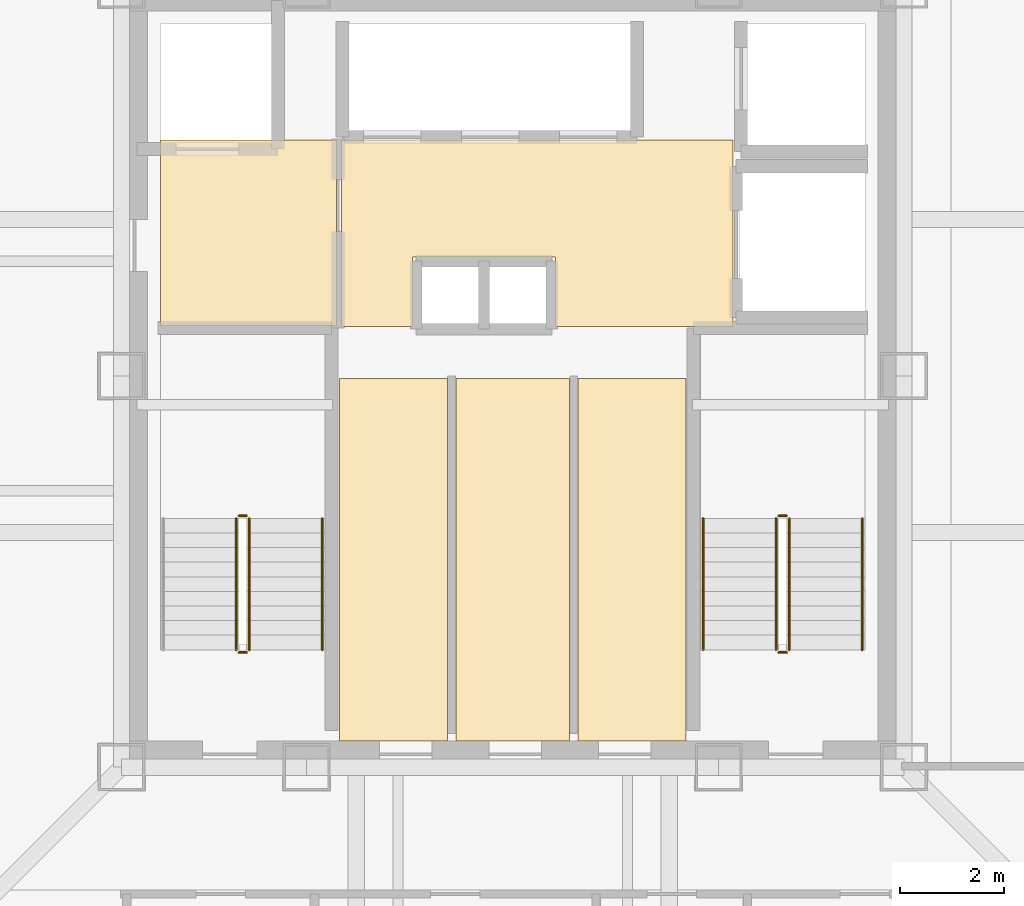
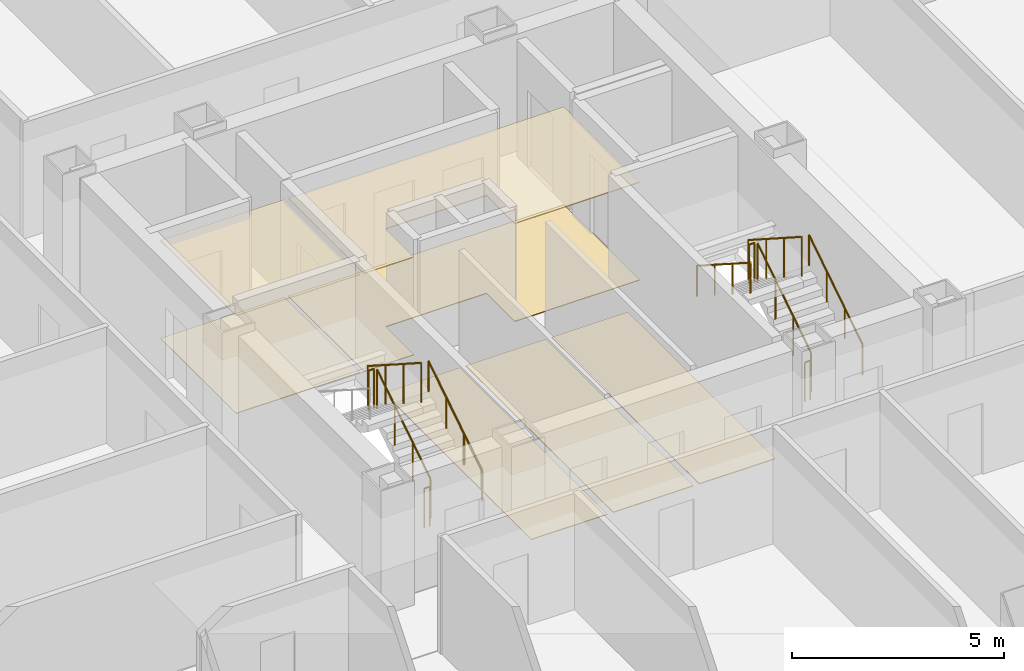
# One storey, part 15 of 16: 11 railings, 7 coverings.
"""IFC4 building model written with IfcOpenShell, lengths in metres."""

from ifc_helpers import new_model, si_unit, direction, frame, origin, origin_2d, place, context, subcontext, project, spatial, polyline, circle, outline, extrude, material, layer, layer_set, type_object, element, save


model = new_model("IFC4")

# Units and contexts
model_context = context("Model", 3, precision=1e-05, world=origin(), true_north=direction((0.0, 1.0)))
body_context = subcontext(model_context, "Body", "Model", "MODEL_VIEW")
ifc_project = project(units=[si_unit("LENGTHUNIT", "METRE"), si_unit("AREAUNIT", "SQUARE_METRE"), si_unit("VOLUMEUNIT", "CUBIC_METRE"), si_unit("PLANEANGLEUNIT", "RADIAN"), si_unit("MASSUNIT", "GRAM", prefix="KILO")], contexts=[model_context])

# Site, building, storey
site_placement = place(None, origin())
site = spatial("IfcSite", under=ifc_project, at=site_placement, CompositionType="ELEMENT")
building_placement = place(site_placement, origin())
building = spatial("IfcBuilding", under=site, at=building_placement, Name="Trevonay Congress Spire", CompositionType="ELEMENT")
storey_placement = place(building_placement, frame((0.0, 0.0, 177.0)))
storey = spatial("IfcBuildingStorey", under=building, at=storey_placement, Name="L45", CompositionType="ELEMENT", Elevation=177.0)

# Coverings
ifc_material_1 = material(Name="Acoustic Mineral Fibre Board", Category="gypsum")
ifc_layer_1 = layer(ifc_material_1, 0.02490234375, Name="Acoustic Mineral Fibre Board")
ifc_layer_set_1 = layer_set([ifc_layer_1], Name="Acoustic Mineral Fibre Board")
covering_type_1 = type_object("IfcCoveringType", Name="COV-CEIL-ACOUSTIC", PredefinedType="CEILING", material=ifc_layer_set_1)
covering_1_placement = place(storey_placement, frame((0.0, 0.0, 2.81005859375)))
element("IfcCovering", 1, at=covering_1_placement, inside=storey, type_object=covering_type_1, Name="L45 Firefighting Lift Lobby West acoustic suspended ceiling", PredefinedType="CEILING", context=body_context, shape_type="SweptSolid", body=[
    extrude(outline(polyline([(-6.75, 0.9599609375), (-3.3798828125, 0.9599609375), (-3.3798828125, 4.52001953125), (-6.75, 4.52001953125), (-6.75, 0.9599609375)])), origin(), (0.0, 0.0, 1.0), 0.02490234375),
])
covering_2_placement = place(storey_placement, frame((0.0, 0.0, 2.81005859375)))
element("IfcCovering", 2, at=covering_2_placement, inside=storey, type_object=covering_type_1, Name="L45 Central and High-Rise Passenger Lift Lobby acoustic suspended ceiling", PredefinedType="CEILING", context=body_context, shape_type="SweptSolid", body=[
    extrude(outline(polyline([(-3.280029296875, 0.949951171875), (-1.919921875, 0.949951171875), (-1.919921875, 2.280029296875), (0.820068359375, 2.280029296875), (0.820068359375, 0.949951171875), (4.219970703125, 0.949951171875), (4.219970703125, 4.52001953125), (-3.280029296875, 4.52001953125), (-3.280029296875, 0.949951171875)])), origin(), (0.0, 0.0, 1.0), 0.02490234375),
])
ifc_material_2 = material(Name="Polished Granite Floor Tile", Category="masonry")
ifc_layer_2 = layer(ifc_material_2, 0.02001953125, Name="Polished Granite Floor Tile")
ifc_layer_set_2 = layer_set([ifc_layer_2], Name="Polished Granite Floor Tile")
covering_type_2 = type_object("IfcCoveringType", Name="COV-FLOOR-STONE", PredefinedType="FLOORING", material=ifc_layer_set_2)
covering_3_placement = place(storey_placement, origin())
element("IfcCovering", 3, at=covering_3_placement, inside=storey, type_object=covering_type_2, Name="L45 Firefighting Lift Lobby West floor finish", PredefinedType="FLOORING", context=body_context, shape_type="SweptSolid", body=[
    extrude(outline(polyline([(-6.75, 0.9599609375), (-3.3798828125, 0.9599609375), (-3.3798828125, 4.52001953125), (-6.75, 4.52001953125), (-6.75, 0.9599609375)])), origin(), (0.0, 0.0, 1.0), 0.02001953125),
])
covering_4_placement = place(storey_placement, origin())
element("IfcCovering", 4, at=covering_4_placement, inside=storey, type_object=covering_type_2, Name="L45 Central and High-Rise Passenger Lift Lobby floor finish", PredefinedType="FLOORING", context=body_context, shape_type="SweptSolid", body=[
    extrude(outline(polyline([(-3.280029296875, 0.949951171875), (-1.919921875, 0.949951171875), (-1.919921875, 2.280029296875), (0.820068359375, 2.280029296875), (0.820068359375, 0.949951171875), (4.219970703125, 0.949951171875), (4.219970703125, 4.52001953125), (-3.280029296875, 4.52001953125), (-3.280029296875, 0.949951171875)])), origin(), (0.0, 0.0, 1.0), 0.02001953125),
])
covering_5_placement = place(storey_placement, origin())
element("IfcCovering", 5, at=covering_5_placement, inside=storey, type_object=covering_type_2, Name="L45 Core AHU Fan Plant Room floor finish", PredefinedType="FLOORING", context=body_context, shape_type="SweptSolid", body=[
    extrude(outline(polyline([(-3.320068359375, -7.0), (-1.25, -7.0), (-1.25, -0.050048828125), (-3.320068359375, -0.050048828125), (-3.320068359375, -7.0)])), origin(), (0.0, 0.0, 1.0), 0.02001953125),
])
covering_6_placement = place(storey_placement, origin())
element("IfcCovering", 6, at=covering_6_placement, inside=storey, type_object=covering_type_2, Name="L45 Core IT Comms Store floor finish", PredefinedType="FLOORING", context=body_context, shape_type="SweptSolid", body=[
    extrude(outline(polyline([(-1.090087890625, -7.0), (1.090087890625, -7.0), (1.090087890625, -0.050048828125), (-1.090087890625, -0.050048828125), (-1.090087890625, -7.0)])), origin(), (0.0, 0.0, 1.0), 0.02001953125),
])
covering_7_placement = place(storey_placement, origin())
element("IfcCovering", 7, at=covering_7_placement, inside=storey, type_object=covering_type_2, Name="L45 Housekeeping Linen Store floor finish", PredefinedType="FLOORING", context=body_context, shape_type="SweptSolid", body=[
    extrude(outline(polyline([(1.25, -7.0), (3.320068359375, -7.0), (3.320068359375, -0.050048828125), (1.25, -0.050048828125), (1.25, -7.0)])), origin(), (0.0, 0.0, 1.0), 0.02001953125),
])

# Railings
ifc_material_3 = material(Name="Pale Anodised Aluminium EN AW-6063-T6", Category="aluminium")
railing_type_1 = type_object("IfcRailingType", Name="RAL-STAIR-GUARD-110", PredefinedType="GUARDRAIL", material=ifc_material_3)
railing_1_placement = place(storey_placement, frame((-5.050048828125, -5.25, 0.179931640625)))
element("IfcRailing", 8, at=railing_1_placement, inside=storey, type_object=railing_type_1, Name="L45 ST-1 stair guard 1", PredefinedType="GUARDRAIL", context=body_context, shape_type="SweptSolid", body=[
    extrude(circle(Radius=0.02392578125, at=origin_2d()), frame((0.0, 0.0, 1.1259765625), z_axis=(0.0, 0.841162588446, 0.540782303519), x_axis=(-1.0, 0.0, 0.0)), (0.0, 0.0, 1.0), 2.995849609375),
    extrude(circle(Radius=0.02099609375, at=origin_2d()), origin(), (0.0, 0.0, 1.0), 1.101806640625),
    extrude(circle(Radius=0.02099609375, at=origin_2d()), frame((0.0, 0.840087890625, 0.5400390625)), (0.0, 0.0, 1.0), 1.101806640625),
    extrude(circle(Radius=0.02099609375, at=origin_2d()), frame((0.0, 1.679931640625, 1.080078125)), (0.0, 0.0, 1.0), 1.101806640625),
    extrude(circle(Radius=0.02099609375, at=origin_2d()), frame((0.0, 2.52001953125, 1.6201171875)), (0.0, 0.0, 1.0), 1.101806640625),
])
railing_2_placement = place(storey_placement, frame((-5.10009765625, -2.679931640625, 1.800048828125)))
element("IfcRailing", 9, at=railing_2_placement, inside=storey, type_object=railing_type_1, Name="L45 ST-1 stair guard 2", PredefinedType="GUARDRAIL", context=body_context, shape_type="SweptSolid", body=[
    extrude(circle(Radius=0.02392578125, at=origin_2d()), frame((0.0, 0.0, 1.1259765625), z_axis=(-1.0, 0.0, 0.0), x_axis=(0.0, -1.0, 0.0)), (0.0, 0.0, 1.0), 0.14990234375),
    extrude(circle(Radius=0.02099609375, at=origin_2d()), origin(), (0.0, 0.0, 1.0), 1.101806640625),
    extrude(circle(Radius=0.02099609375, at=origin_2d()), frame((-0.14990234375, 0.0, 0.0)), (0.0, 0.0, 1.0), 1.101806640625),
])
railing_3_placement = place(storey_placement, frame((-5.300048828125, -2.72998046875, 1.97998046875)))
element("IfcRailing", 10, at=railing_3_placement, inside=storey, type_object=railing_type_1, Name="L45 ST-1 stair guard 3", PredefinedType="GUARDRAIL", context=body_context, shape_type="SweptSolid", body=[
    extrude(circle(Radius=0.02392578125, at=origin_2d()), frame((0.0, 0.0, 1.1259765625), z_axis=(0.0, -0.841162588446, 0.540782303519), x_axis=(1.0, 0.0, 0.0)), (0.0, 0.0, 1.0), 2.995849609375),
    extrude(circle(Radius=0.02099609375, at=origin_2d()), origin(), (0.0, 0.0, 1.0), 1.101806640625),
    extrude(circle(Radius=0.02099609375, at=origin_2d()), frame((0.0, -0.840087890625, 0.5400390625)), (0.0, 0.0, 1.0), 1.101806640625),
    extrude(circle(Radius=0.02099609375, at=origin_2d()), frame((0.0, -1.679931640625, 1.080078125)), (0.0, 0.0, 1.0), 1.101806640625),
    extrude(circle(Radius=0.02099609375, at=origin_2d()), frame((0.0, -2.52001953125, 1.6201171875)), (0.0, 0.0, 1.0), 1.101806640625),
])
railing_4_placement = place(storey_placement, frame((-5.10009765625, -5.300048828125, 0.0)))
element("IfcRailing", 11, at=railing_4_placement, inside=storey, type_object=railing_type_1, Name="L45 ST-1 stair guard 4", PredefinedType="GUARDRAIL", context=body_context, shape_type="SweptSolid", body=[
    extrude(circle(Radius=0.02392578125, at=origin_2d()), frame((0.0, 0.0, 1.1259765625), z_axis=(-1.0, 0.0, 0.0), x_axis=(0.0, -1.0, 0.0)), (0.0, 0.0, 1.0), 0.14990234375),
    extrude(circle(Radius=0.02099609375, at=origin_2d()), origin(), (0.0, 0.0, 1.0), 1.101806640625),
    extrude(circle(Radius=0.02099609375, at=origin_2d()), frame((-0.14990234375, 0.0, 0.0)), (0.0, 0.0, 1.0), 1.101806640625),
])
railing_5_placement = place(storey_placement, frame((5.300048828125, -5.25, 0.179931640625)))
element("IfcRailing", 12, at=railing_5_placement, inside=storey, type_object=railing_type_1, Name="L45 ST-2 stair guard 1", PredefinedType="GUARDRAIL", context=body_context, shape_type="SweptSolid", body=[
    extrude(circle(Radius=0.02392578125, at=origin_2d()), frame((0.0, 0.0, 1.1259765625), z_axis=(0.0, 0.841162588446, 0.540782303519), x_axis=(-1.0, 0.0, 0.0)), (0.0, 0.0, 1.0), 2.995849609375),
    extrude(circle(Radius=0.02099609375, at=origin_2d()), origin(), (0.0, 0.0, 1.0), 1.101806640625),
    extrude(circle(Radius=0.02099609375, at=origin_2d()), frame((0.0, 0.840087890625, 0.5400390625)), (0.0, 0.0, 1.0), 1.101806640625),
    extrude(circle(Radius=0.02099609375, at=origin_2d()), frame((0.0, 1.679931640625, 1.080078125)), (0.0, 0.0, 1.0), 1.101806640625),
    extrude(circle(Radius=0.02099609375, at=origin_2d()), frame((0.0, 2.52001953125, 1.6201171875)), (0.0, 0.0, 1.0), 1.101806640625),
])
railing_6_placement = place(storey_placement, frame((5.25, -2.679931640625, 1.800048828125)))
element("IfcRailing", 13, at=railing_6_placement, inside=storey, type_object=railing_type_1, Name="L45 ST-2 stair guard 2", PredefinedType="GUARDRAIL", context=body_context, shape_type="SweptSolid", body=[
    extrude(circle(Radius=0.02392578125, at=origin_2d()), frame((0.0, 0.0, 1.1259765625), z_axis=(-1.0, 0.0, 0.0), x_axis=(0.0, -1.0, 0.0)), (0.0, 0.0, 1.0), 0.14990234375),
    extrude(circle(Radius=0.02099609375, at=origin_2d()), origin(), (0.0, 0.0, 1.0), 1.101806640625),
    extrude(circle(Radius=0.02099609375, at=origin_2d()), frame((-0.14990234375, 0.0, 0.0)), (0.0, 0.0, 1.0), 1.101806640625),
])
railing_7_placement = place(storey_placement, frame((5.050048828125, -2.72998046875, 1.97998046875)))
element("IfcRailing", 14, at=railing_7_placement, inside=storey, type_object=railing_type_1, Name="L45 ST-2 stair guard 3", PredefinedType="GUARDRAIL", context=body_context, shape_type="SweptSolid", body=[
    extrude(circle(Radius=0.02392578125, at=origin_2d()), frame((0.0, 0.0, 1.1259765625), z_axis=(0.0, -0.841162588446, 0.540782303519), x_axis=(1.0, 0.0, 0.0)), (0.0, 0.0, 1.0), 2.995849609375),
    extrude(circle(Radius=0.02099609375, at=origin_2d()), origin(), (0.0, 0.0, 1.0), 1.101806640625),
    extrude(circle(Radius=0.02099609375, at=origin_2d()), frame((0.0, -0.840087890625, 0.5400390625)), (0.0, 0.0, 1.0), 1.101806640625),
    extrude(circle(Radius=0.02099609375, at=origin_2d()), frame((0.0, -1.679931640625, 1.080078125)), (0.0, 0.0, 1.0), 1.101806640625),
    extrude(circle(Radius=0.02099609375, at=origin_2d()), frame((0.0, -2.52001953125, 1.6201171875)), (0.0, 0.0, 1.0), 1.101806640625),
])
railing_8_placement = place(storey_placement, frame((5.25, -5.300048828125, 0.0)))
element("IfcRailing", 15, at=railing_8_placement, inside=storey, type_object=railing_type_1, Name="L45 ST-2 stair guard 4", PredefinedType="GUARDRAIL", context=body_context, shape_type="SweptSolid", body=[
    extrude(circle(Radius=0.02392578125, at=origin_2d()), frame((0.0, 0.0, 1.1259765625), z_axis=(-1.0, 0.0, 0.0), x_axis=(0.0, -1.0, 0.0)), (0.0, 0.0, 1.0), 0.14990234375),
    extrude(circle(Radius=0.02099609375, at=origin_2d()), origin(), (0.0, 0.0, 1.0), 1.101806640625),
    extrude(circle(Radius=0.02099609375, at=origin_2d()), frame((-0.14990234375, 0.0, 0.0)), (0.0, 0.0, 1.0), 1.101806640625),
])
railing_type_2 = type_object("IfcRailingType", Name="RAL-STAIR-HANDRAIL", PredefinedType="HANDRAIL", material=ifc_material_3)
for number, where, name in (
    (16, (-3.64990234375, -5.25, 0.179931640625), "L45 ST-1 stair handrail 1"),
    (17, (6.699951171875, -5.25, 0.179931640625), "L45 ST-2 stair handrail 1"),
):
    element("IfcRailing", number, at=place(storey_placement, frame(where)), inside=storey, type_object=railing_type_2, Name=name, PredefinedType="HANDRAIL", context=body_context, shape_type="SweptSolid", body=[
        extrude(circle(Radius=0.02392578125, at=origin_2d()), frame((0.0, 0.0, 0.8759765625), z_axis=(0.0, 0.841162588446, 0.540782303519), x_axis=(-1.0, 0.0, 0.0)), (0.0, 0.0, 1.0), 2.995849609375),
        extrude(circle(Radius=0.02099609375, at=origin_2d()), origin(), (0.0, 0.0, 1.0), 0.851806640625),
        extrude(circle(Radius=0.02099609375, at=origin_2d()), frame((0.0, 0.840087890625, 0.5400390625)), (0.0, 0.0, 1.0), 0.851806640625),
        extrude(circle(Radius=0.02099609375, at=origin_2d()), frame((0.0, 1.679931640625, 1.080078125)), (0.0, 0.0, 1.0), 0.851806640625),
        extrude(circle(Radius=0.02099609375, at=origin_2d()), frame((0.0, 2.52001953125, 1.6201171875)), (0.0, 0.0, 1.0), 0.851806640625),
    ])
railing_9_placement = place(storey_placement, frame((3.64990234375, -2.72998046875, 1.97998046875)))
element("IfcRailing", 18, at=railing_9_placement, inside=storey, type_object=railing_type_2, Name="L45 ST-2 stair handrail 2", PredefinedType="HANDRAIL", context=body_context, shape_type="SweptSolid", body=[
    extrude(circle(Radius=0.02392578125, at=origin_2d()), frame((0.0, 0.0, 0.8759765625), z_axis=(0.0, -0.841162588446, 0.540782303519), x_axis=(1.0, 0.0, 0.0)), (0.0, 0.0, 1.0), 2.995849609375),
    extrude(circle(Radius=0.02099609375, at=origin_2d()), origin(), (0.0, 0.0, 1.0), 0.851806640625),
    extrude(circle(Radius=0.02099609375, at=origin_2d()), frame((0.0, -0.840087890625, 0.5400390625)), (0.0, 0.0, 1.0), 0.851806640625),
    extrude(circle(Radius=0.02099609375, at=origin_2d()), frame((0.0, -1.679931640625, 1.080078125)), (0.0, 0.0, 1.0), 0.851806640625),
    extrude(circle(Radius=0.02099609375, at=origin_2d()), frame((0.0, -2.52001953125, 1.6201171875)), (0.0, 0.0, 1.0), 0.851806640625),
])

save(model, "model.ifc")
